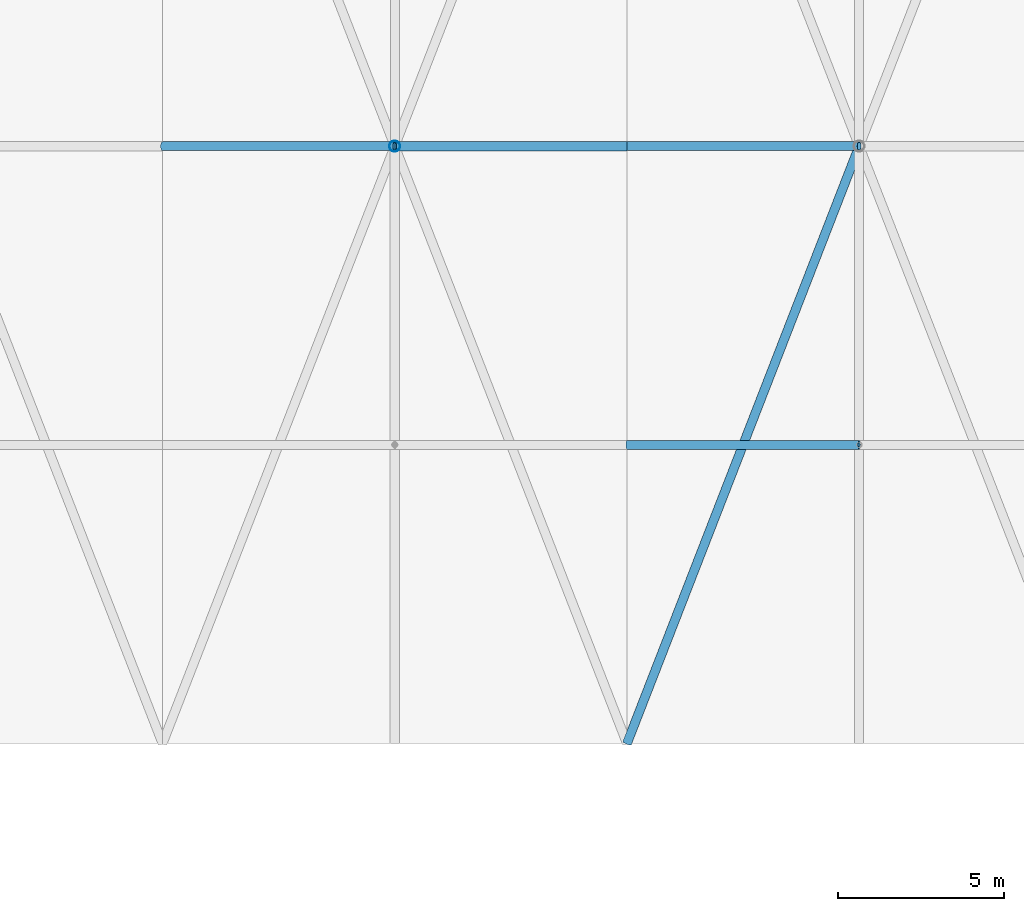
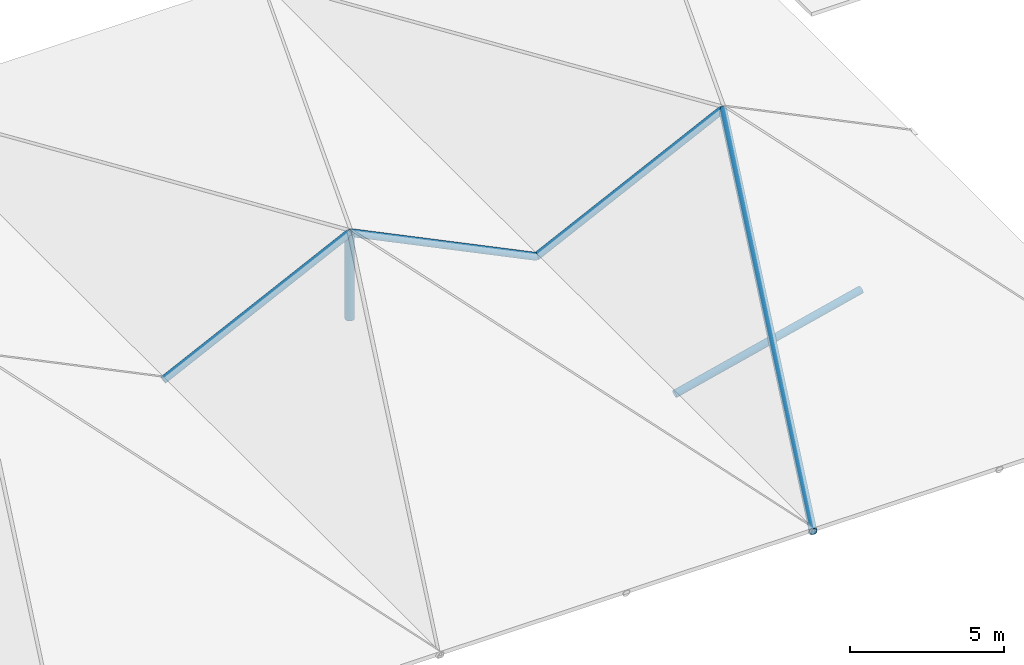
# One storey, part 5 of 93: 6 members.
"""IFC4 building model written with IfcOpenShell, lengths in metres."""

from ifc_helpers import new_model, si_unit, derived_unit, direction, frame, origin, origin_2d_with_axis, place, context, subcontext, project, spatial, hollow_circle, extrude, material, material_profile, profile_set, type_object, element, save


model = new_model("IFC4")

# Units and contexts
model_context = context("Model", 3, precision=1e-05, world=origin(), true_north=direction((0.0, 1.0)))
body_context = subcontext(model_context, "Body", "Model", "MODEL_VIEW")
ifc_project = project(units=[si_unit("LENGTHUNIT", "METRE"), si_unit("AREAUNIT", "SQUARE_METRE"), si_unit("VOLUMEUNIT", "CUBIC_METRE"), si_unit("PLANEANGLEUNIT", "RADIAN"), si_unit("MASSUNIT", "GRAM", prefix="KILO"), derived_unit("THERMALTRANSMITTANCEUNIT", [(si_unit("POWERUNIT", "WATT"), 1), (si_unit("LENGTHUNIT", "METRE"), -2), (si_unit("THERMODYNAMICTEMPERATUREUNIT", "KELVIN"), -1)])], contexts=[model_context])

# Site, building, storey
site_placement = place(None, origin())
site = spatial("IfcSite", under=ifc_project, at=site_placement, CompositionType="ELEMENT")
building_placement = place(site_placement, origin())
building = spatial("IfcBuilding", under=site, at=building_placement, Name="Cinnabar Yard Market Hall", CompositionType="ELEMENT")
storey_placement = place(building_placement, frame((0.0, 0.0, 23.800048828125)))
storey = spatial("IfcBuildingStorey", under=building, at=storey_placement, Name="ROOF", CompositionType="ELEMENT", Elevation=23.800048828125)

# Members
ifc_material_1 = material(Name="Spotted-gum glulam-clad steel Grade 350 (350 MPa)", Category="steel")
ifc_material_profile_1 = material_profile(ifc_material_1, hollow_circle(Radius=0.161865234375, WallThickness=0.009521484375, at=origin_2d_with_axis()), Name="323.9x9.5CHS")
ifc_profile_set_1 = profile_set([ifc_material_profile_1], Name="Spotted-gum glulam-clad steel Grade 350 (350 MPa)")
member_type_1 = type_object("IfcMemberType", Name="MB-ST01", PredefinedType="STRUT", material=ifc_profile_set_1)
member_1_placement = place(storey_placement, frame((31.0, 66.0, -15.400146484375), z_axis=(0.0, 0.0, 1.0), x_axis=(1.0, 0.0, 0.0)))
element("IfcMember", 1, at=member_1_placement, inside=storey, type_object=member_type_1, Name="Chhatri Cupola Post CH2", PredefinedType="STRUT", context=body_context, shape_type="SweptSolid", body=[
    extrude(hollow_circle(Radius=0.161865234375, WallThickness=0.009521484375, at=origin_2d_with_axis()), origin(), (0.0, 0.0, 1.0), 3.400146484375),
])
ifc_material_2 = material(Name="Cold-formed steel C350L0", Category="steel")
ifc_material_profile_2 = material_profile(ifc_material_2, hollow_circle(Radius=0.136474609375, WallThickness=0.00927734375, at=origin_2d_with_axis()), Name="273.1x9.3CHS")
ifc_profile_set_2 = profile_set([ifc_material_profile_2], Name="Cold-formed steel C350L0")
member_type_2 = type_object("IfcMemberType", Name="MB-TC02", PredefinedType="CHORD", material=ifc_profile_set_2)
for number, where, z_axis, x_axis, name in (
    (2, (24.0, 66.0, -15.400146484375), (0.899500760931, 0.0, 0.436919192853), (0.0, 1.0, 0.0), "Chhatri Hip Rafter CH2-7"),
    (3, (38.0, 66.0, -15.400146484375), (-0.899500760931, 0.0, 0.436919192853), (0.0, -1.0, 0.0), "Chhatri Hip Rafter CH2-8"),
):
    element("IfcMember", number, at=place(storey_placement, frame(where, z_axis=z_axis, x_axis=x_axis)), inside=storey, type_object=member_type_2, Name=name, PredefinedType="CHORD", context=body_context, shape_type="SweptSolid", body=[
        extrude(hollow_circle(Radius=0.136474609375, WallThickness=0.00927734375, at=origin_2d_with_axis()), origin(), (0.0, 0.0, 1.0), 7.781982421875),
    ])
member_2_placement = place(storey_placement, frame((38.0, 48.0, -15.400146484375), z_axis=(0.356956605479, 0.917888414088, 0.173386392456), x_axis=(-0.932004671541, 0.362446261155, 0.0)))
element("IfcMember", 4, at=member_2_placement, inside=storey, type_object=member_type_2, Name="Chhatri Hip Rafter CH3-1", PredefinedType="CHORD", context=body_context, shape_type="SweptSolid", body=[
    extrude(hollow_circle(Radius=0.136474609375, WallThickness=0.00927734375, at=origin_2d_with_axis()), origin(), (0.0, 0.0, 1.0), 19.610107421875),
])
member_3_placement = place(storey_placement, frame((38.0, 66.0, -15.400146484375), z_axis=(0.899500760931, 0.0, 0.436919192853), x_axis=(0.0, 1.0, 0.0)))
element("IfcMember", 5, at=member_3_placement, inside=storey, type_object=member_type_2, Name="Chhatri Hip Rafter CH3-7", PredefinedType="CHORD", context=body_context, shape_type="SweptSolid", body=[
    extrude(hollow_circle(Radius=0.136474609375, WallThickness=0.00927734375, at=origin_2d_with_axis()), origin(), (0.0, 0.0, 1.0), 7.781982421875),
])
member_4_placement = place(storey_placement, frame((38.0, 57.0, -15.400146484375), z_axis=(0.971747485636, 0.0, 0.23602293143), x_axis=(0.0, 1.0, 0.0)))
element("IfcMember", 6, at=member_4_placement, inside=storey, type_object=member_type_2, Name="Chhatri Rafter CH3-57A", PredefinedType="CHORD", context=body_context, shape_type="SweptSolid", body=[
    extrude(hollow_circle(Radius=0.136474609375, WallThickness=0.00927734375, at=origin_2d_with_axis()), origin(), (0.0, 0.0, 1.0), 7.20361328125),
])

save(model, "model.ifc")
